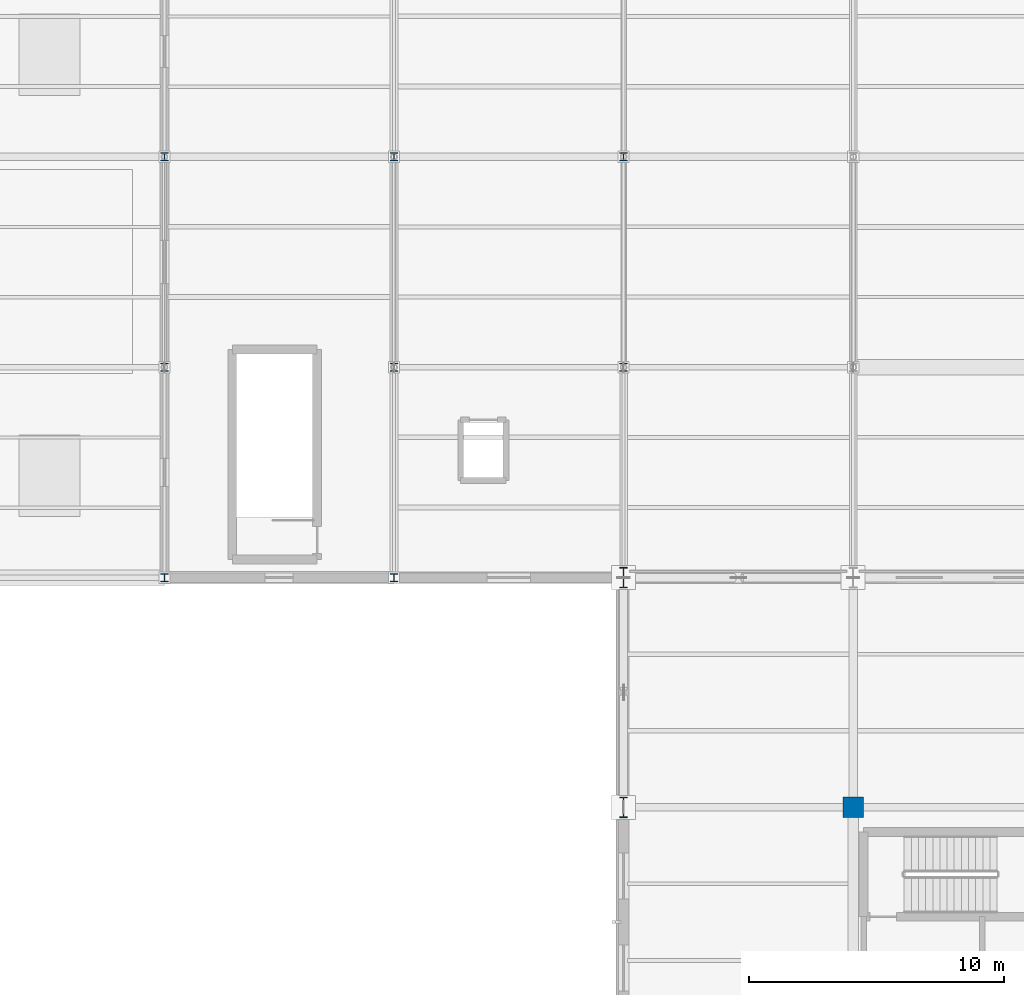
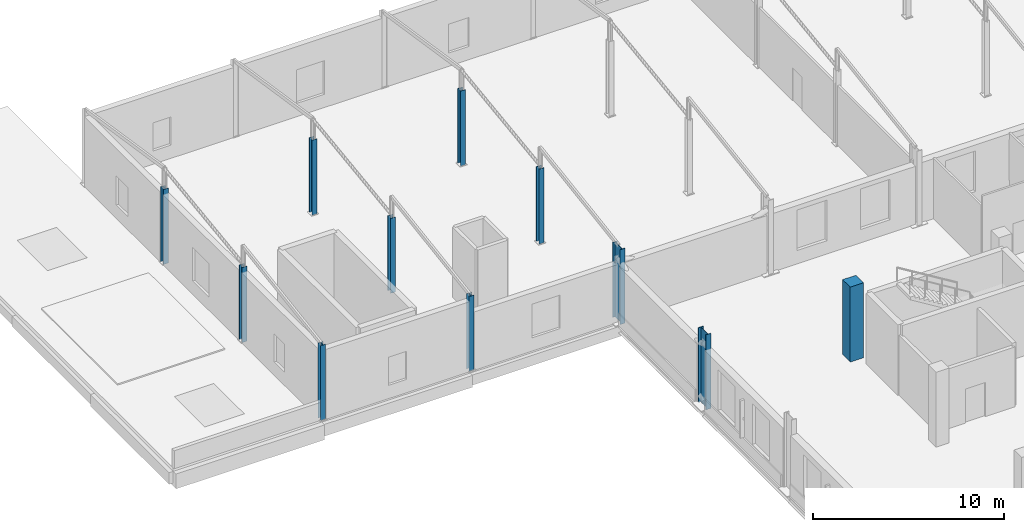
# One storey, part 3 of 54: 11 columns.
"""IFC4 building model written with IfcOpenShell, lengths in metres."""

from ifc_helpers import new_model, si_unit, direction, frame, origin, origin_2d, place, context, subcontext, project, spatial, rectangle, i_section, extrude, material, material_profile, profile_set, type_object, element, save


model = new_model("IFC4")

# Units and contexts
model_context = context("Model", 3, precision=1e-05, world=origin(), true_north=direction((0.0, 1.0)))
body_context = subcontext(model_context, "Body", "Model", "MODEL_VIEW")
ifc_project = project(units=[si_unit("LENGTHUNIT", "METRE"), si_unit("AREAUNIT", "SQUARE_METRE"), si_unit("VOLUMEUNIT", "CUBIC_METRE"), si_unit("PLANEANGLEUNIT", "RADIAN"), si_unit("MASSUNIT", "GRAM", prefix="KILO")], contexts=[model_context])

# Site, building, storey
site_placement = place(None, origin())
site = spatial("IfcSite", under=ifc_project, at=site_placement, CompositionType="ELEMENT")
building_placement = place(site_placement, origin())
building = spatial("IfcBuilding", under=site, at=building_placement, Name="Sundgate Opera House", CompositionType="ELEMENT")
storey_placement = place(building_placement, frame((0.0, 0.0, 16.800048828125)))
storey = spatial("IfcBuildingStorey", under=building, at=storey_placement, Name="L03", CompositionType="ELEMENT", Elevation=16.800048828125)

# Columns
ifc_material_1 = material(Name="Concrete C40/50", Category="concrete")
ifc_material_profile_1 = material_profile(ifc_material_1, rectangle(XDim=0.800048828125, YDim=0.800048828125, at=origin_2d()), Name="RC 800x800")
ifc_profile_set_1 = profile_set([ifc_material_profile_1], Name="Concrete C40/50")
column_type_1 = type_object("IfcColumnType", Name="CL-RC-800", PredefinedType="COLUMN", material=ifc_profile_set_1)
column_placement = place(storey_placement, frame((36.0, 78.0, 0.0), z_axis=(0.0, 0.0, 1.0), x_axis=(1.0, 0.0, 0.0)))
element("IfcColumn", 1, at=column_placement, inside=storey, type_object=column_type_1, Name="L03 Column C0252", PredefinedType="COLUMN", context=body_context, shape_type="SweptSolid", body=[
    extrude(rectangle(XDim=0.800048828125, YDim=0.800048828125, at=origin_2d()), origin(), (0.0, 0.0, 1.0), 4.800048828125),
])
ifc_material_2 = material(Name="Steel S355J2", Category="steel")
ifc_material_profile_2 = material_profile(ifc_material_2, i_section(OverallWidth=0.300048828125, OverallDepth=0.300048828125, WebThickness=0.010986328125, FlangeThickness=0.01904296875, at=origin_2d()), Name="HEB 300")
ifc_profile_set_2 = profile_set([ifc_material_profile_2], Name="Steel S355J2")
column_type_2 = type_object("IfcColumnType", Name="CL-STL-300", PredefinedType="COLUMN", material=ifc_profile_set_2)
for number, where, z_axis, x_axis, name in (
    (2, (9.0, 87.0, 0.0), (0.0, 0.0, 1.0), (1.0, 0.0, 0.0), "L03 Column C0081"),
    (3, (9.0, 95.25, 0.0), (0.0, 0.0, 1.0), (1.0, 0.0, 0.0), "L03 Column C0086"),
    (4, (9.0, 103.5, 0.0), (0.0, 0.0, 1.0), (1.0, 0.0, 0.0), "L03 Column C0091"),
    (5, (18.0, 87.0, 0.0), (0.0, 0.0, 1.0), (1.0, 0.0, 0.0), "L03 Column C0130"),
    (6, (18.0, 95.25, 0.0), (0.0, 0.0, 1.0), (1.0, 0.0, 0.0), "L03 Column C0135"),
    (7, (18.0, 103.5, 0.0), (0.0, 0.0, 1.0), (1.0, 0.0, 0.0), "L03 Column C0140"),
    (8, (27.0, 95.25, 0.0), (0.0, 0.0, 1.0), (1.0, 0.0, 0.0), "L03 Column C0201"),
    (9, (27.0, 103.5, 0.0), (0.0, 0.0, 1.0), (1.0, 0.0, 0.0), "L03 Column C0206"),
):
    element("IfcColumn", number, at=place(storey_placement, frame(where, z_axis=z_axis, x_axis=x_axis)), inside=storey, type_object=column_type_2, Name=name, PredefinedType="COLUMN", context=body_context, shape_type="SweptSolid", body=[
        extrude(i_section(OverallWidth=0.300048828125, OverallDepth=0.300048828125, WebThickness=0.010986328125, FlangeThickness=0.01904296875, at=origin_2d()), origin(), (0.0, 0.0, 1.0), 4.800048828125),
    ])
ifc_material_3 = material(Name="Steel S355J2", Category="steel")
ifc_material_profile_3 = material_profile(ifc_material_3, i_section(OverallWidth=0.300048828125, OverallDepth=0.800048828125, WebThickness=0.017578125, FlangeThickness=0.032958984375, at=origin_2d()), Name="HEB 800")
ifc_profile_set_3 = profile_set([ifc_material_profile_3], Name="Steel S355J2")
column_type_3 = type_object("IfcColumnType", Name="CL-STL-800", PredefinedType="COLUMN", material=ifc_profile_set_3)
for number, where, z_axis, x_axis, name in (
    (10, (27.0, 78.0, 0.0), (0.0, 0.0, 1.0), (1.0, 0.0, 0.0), "L03 Column C0187"),
    (11, (27.0, 87.0, 0.0), (0.0, 0.0, 1.0), (1.0, 0.0, 0.0), "L03 Column C0193"),
):
    element("IfcColumn", number, at=place(storey_placement, frame(where, z_axis=z_axis, x_axis=x_axis)), inside=storey, type_object=column_type_3, Name=name, PredefinedType="COLUMN", context=body_context, shape_type="SweptSolid", body=[
        extrude(i_section(OverallWidth=0.300048828125, OverallDepth=0.800048828125, WebThickness=0.017578125, FlangeThickness=0.032958984375, at=origin_2d()), origin(), (0.0, 0.0, 1.0), 4.800048828125),
    ])

save(model, "model.ifc")
